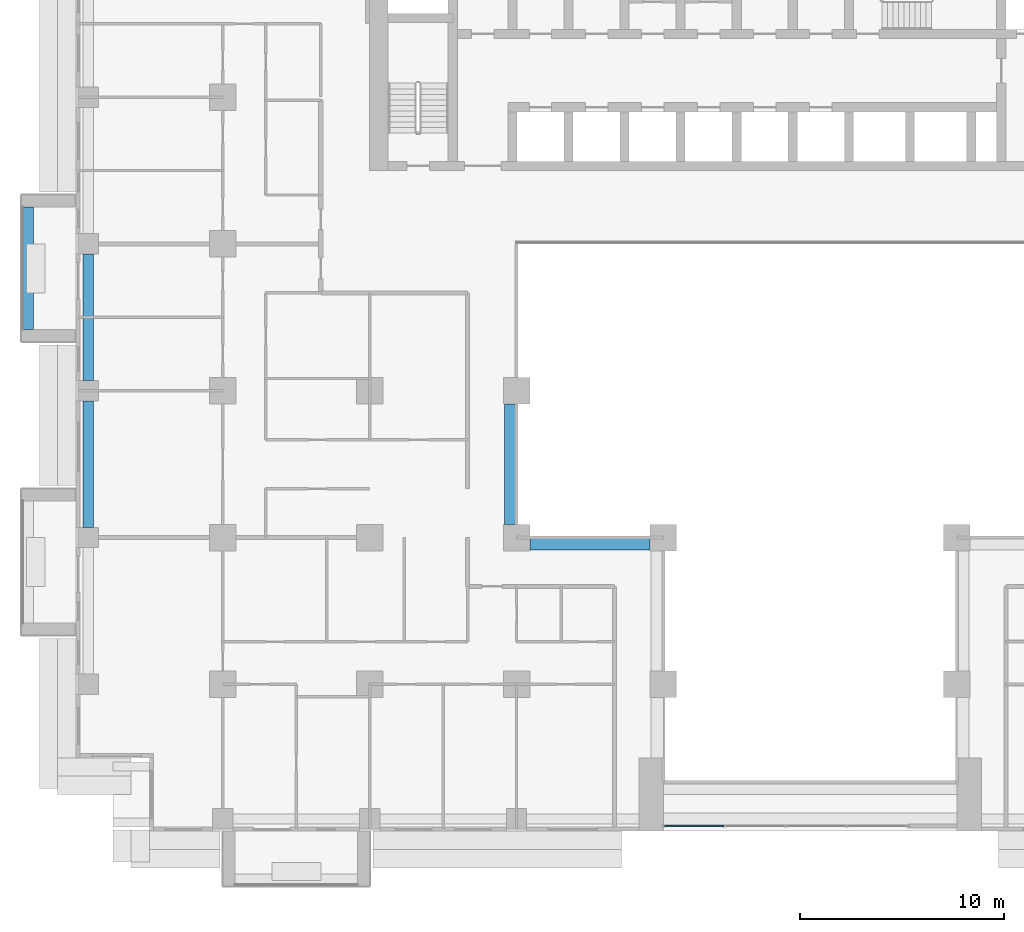
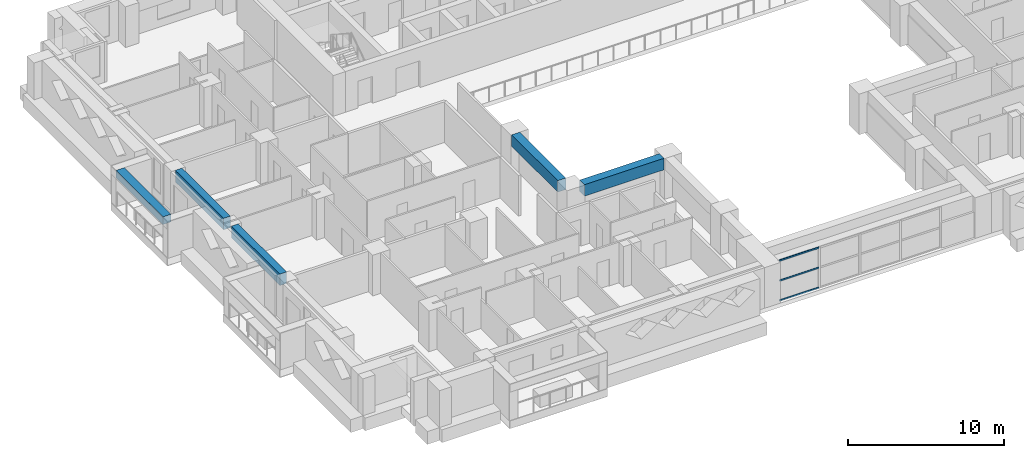
# One storey, part 3 of 17: 5 beams, 3 members, 1 element without a shape of its own.
"""IFC4 building model written with IfcOpenShell, lengths in metres."""

from ifc_helpers import new_model, si_unit, direction, frame, origin, origin_2d, place, context, subcontext, project, spatial, rectangle, extrude, source, transform, mapped, material, layer, layer_set, material_profile, profile_set, type_object, element, aggregate, save


model = new_model("IFC4")

# Units and contexts
model_context = context("Model", 3, precision=1e-05, world=origin(), true_north=direction((0.0, 1.0)))
body_context = subcontext(model_context, "Body", "Model", "MODEL_VIEW")
ifc_project = project(units=[si_unit("LENGTHUNIT", "METRE"), si_unit("AREAUNIT", "SQUARE_METRE"), si_unit("VOLUMEUNIT", "CUBIC_METRE"), si_unit("PLANEANGLEUNIT", "RADIAN"), si_unit("MASSUNIT", "GRAM", prefix="KILO")], contexts=[model_context])

# Site, building, storey
site_placement = place(None, origin())
site = spatial("IfcSite", under=ifc_project, at=site_placement, CompositionType="ELEMENT")
building_placement = place(site_placement, origin())
building = spatial("IfcBuilding", under=site, at=building_placement, Name="Saffron Iwan Residences", CompositionType="ELEMENT")
storey_placement = place(building_placement, frame((0.0, 0.0, 72.5)))
storey = spatial("IfcBuildingStorey", under=building, at=storey_placement, Name="L18", CompositionType="ELEMENT", Elevation=72.5)

# Beams
ifc_material_1 = material(Name="Concrete C60/75", Category="concrete")
ifc_material_profile_1 = material_profile(ifc_material_1, rectangle(XDim=0.5, YDim=0.89990234375, at=origin_2d()), Name="RC 500x900")
ifc_profile_set_1 = profile_set([ifc_material_profile_1], Name="Concrete C60/75")
beam_type_1 = type_object("IfcBeamType", Name="SPANDREL BEAM RC 500x900 C60/75 TOP 3180", PredefinedType="SPANDREL", material=ifc_profile_set_1)
shared_shape_1 = source(origin(), body_context, "Body", "SweptSolid", [
    extrude(rectangle(XDim=0.5, YDim=0.89990234375, at=origin_2d()), origin(), (0.0, 0.0, 1.0), 6.199951171875),
])
for number, where, z_axis, x_axis, name in (
    (1, (15.0, 48.5, 2.72998046875), (0.0, 1.0, 0.0), (-1.0, 0.0, 0.0), "Spandrel beam"),
    (2, (15.0, 55.699951171875, 2.72998046875), (0.0, 1.0, 0.0), (-1.0, 0.0, 0.0), "Spandrel beam"),
):
    element("IfcBeam", number, at=place(storey_placement, frame(where, z_axis=z_axis, x_axis=x_axis)), inside=storey, type_object=beam_type_1, Name=name, PredefinedType="SPANDREL", context=body_context, shape_type="MappedRepresentation", body=[
        mapped(shared_shape_1, transform((0.0, 0.0, 0.0))),
    ])
ifc_material_profile_2 = material_profile(ifc_material_1, rectangle(XDim=0.60009765625, YDim=0.89990234375, at=origin_2d()), Name="RC 600x900")
ifc_profile_set_2 = profile_set([ifc_material_profile_2], Name="Concrete C60/75")
beam_type_2 = type_object("IfcBeamType", Name="BEAM RC 600x900 C60/75 TOP 3180", PredefinedType="BEAM", material=ifc_profile_set_2)
shared_shape_2 = source(origin(), body_context, "Body", "SweptSolid", [
    extrude(rectangle(XDim=0.60009765625, YDim=0.89990234375, at=origin_2d()), origin(), (0.0, 0.0, 1.0), 5.900146484375),
])
for number, where, z_axis, x_axis, name in (
    (3, (42.550048828125, 47.699951171875, 2.72998046875), (-1.0, 0.0, 0.0), (0.0, -1.0, 0.0), "Atrium edge beam"),
    (4, (35.699951171875, 48.64990234375, 2.72998046875), (0.0, 1.0, 0.0), (-1.0, 0.0, 0.0), "Atrium edge beam"),
):
    element("IfcBeam", number, at=place(storey_placement, frame(where, z_axis=z_axis, x_axis=x_axis)), inside=storey, type_object=beam_type_2, Name=name, PredefinedType="BEAM", context=body_context, shape_type="MappedRepresentation", body=[
        mapped(shared_shape_2, transform((0.0, 0.0, 0.0))),
    ])

# Curtain wall, members
ifc_material_2 = material(Name="Clear glass, laminated double glazed", Category="glass")
ifc_layer = layer(ifc_material_2, 0.199951171875)
ifc_layer_set = layer_set([ifc_layer], Name="Clear glass, laminated double glazed")
curtain_wall_type = type_object("IfcCurtainWallType", Name="CW-B IWAN PORTAL", PredefinedType="NOTDEFINED", material=ifc_layer_set)
curtain_wall_placement = place(storey_placement, origin())
curtain_wall = element("IfcCurtainWall", 5, at=curtain_wall_placement, inside=storey, type_object=curtain_wall_type, Name="Iwan portal glazing L18.1", PredefinedType="NOTDEFINED")
ifc_material_3 = material(Name="Aluminium 6063-T6", Category="aluminium")
ifc_material_profile_3 = material_profile(ifc_material_3, rectangle(XDim=0.06005859375, YDim=0.1201171875, at=origin_2d()), Name="CW-B TRANSOM 60 x 120")
ifc_profile_set_3 = profile_set([ifc_material_profile_3], Name="Aluminium 6063-T6")
member_type = type_object("IfcMemberType", Name="CW-B TRANSOM 60 x 120", PredefinedType="USERDEFINED", material=ifc_profile_set_3)
shared_shape_3 = source(origin(), body_context, "Body", "SweptSolid", [
    extrude(rectangle(XDim=0.06005859375, YDim=0.1201171875, at=origin_2d()), origin(), (0.0, 0.0, 1.0), 2.909912109375),
])
member_1_placement = place(storey_placement, frame((43.260009765625, 33.85009765625, 0.030029296875), z_axis=(1.0, 0.0, 0.0), x_axis=(0.0, 1.0, 0.0)))
member_1 = element("IfcMember", 6, at=member_1_placement, type_object=member_type, Name="CW-B transom 1.1", ObjectType="TRANSOM", PredefinedType="USERDEFINED", context=body_context, shape_type="MappedRepresentation", body=[
    mapped(shared_shape_3, transform((0.0, 0.0, 0.0))),
])
member_2_placement = place(storey_placement, frame((43.260009765625, 33.85009765625, 1.590087890625), z_axis=(1.0, 0.0, 0.0), x_axis=(0.0, 1.0, 0.0)))
member_2 = element("IfcMember", 7, at=member_2_placement, type_object=member_type, Name="CW-B transom 1.2", ObjectType="TRANSOM", PredefinedType="USERDEFINED", context=body_context, shape_type="MappedRepresentation", body=[
    mapped(shared_shape_3, transform((0.0, 0.0, 0.0))),
])
member_3_placement = place(storey_placement, frame((43.260009765625, 33.85009765625, 3.14990234375), z_axis=(1.0, 0.0, 0.0), x_axis=(0.0, 1.0, 0.0)))
member_3 = element("IfcMember", 8, at=member_3_placement, type_object=member_type, Name="CW-B transom 1.3", ObjectType="TRANSOM", PredefinedType="USERDEFINED", context=body_context, shape_type="MappedRepresentation", body=[
    mapped(shared_shape_3, transform((0.0, 0.0, 0.0))),
])
aggregate(curtain_wall, [member_1, member_2, member_3])

# Beam
ifc_material_4 = material(Name="Concrete C50/60 white painted", Category="concrete")
ifc_material_profile_4 = material_profile(ifc_material_4, rectangle(XDim=0.60009765625, YDim=0.60009765625, at=origin_2d()), Name="BALCONY FASCIA BEAM 600 x 600")
ifc_profile_set_4 = profile_set([ifc_material_profile_4], Name="Concrete C50/60 white painted")
beam_type_3 = type_object("IfcBeamType", Name="BALCONY FASCIA BEAM 600 x 600", PredefinedType="BEAM", material=ifc_profile_set_4)
shared_shape_4 = source(origin(), body_context, "Body", "SweptSolid", [
    extrude(rectangle(XDim=0.60009765625, YDim=0.60009765625, at=origin_2d()), origin(), (0.0, 0.0, 1.0), 6.0),
])
beam_placement = place(storey_placement, frame((12.0, 64.199951171875, 2.550048828125), z_axis=(0.0, -1.0, 0.0), x_axis=(1.0, 0.0, 0.0)))
element("IfcBeam", 9, at=beam_placement, inside=storey, type_object=beam_type_3, Name="Balcony fascia beam L18 F8-0", PredefinedType="BEAM", context=body_context, shape_type="MappedRepresentation", body=[
    mapped(shared_shape_4, transform((0.0, 0.0, 0.0))),
])

save(model, "model.ifc")
